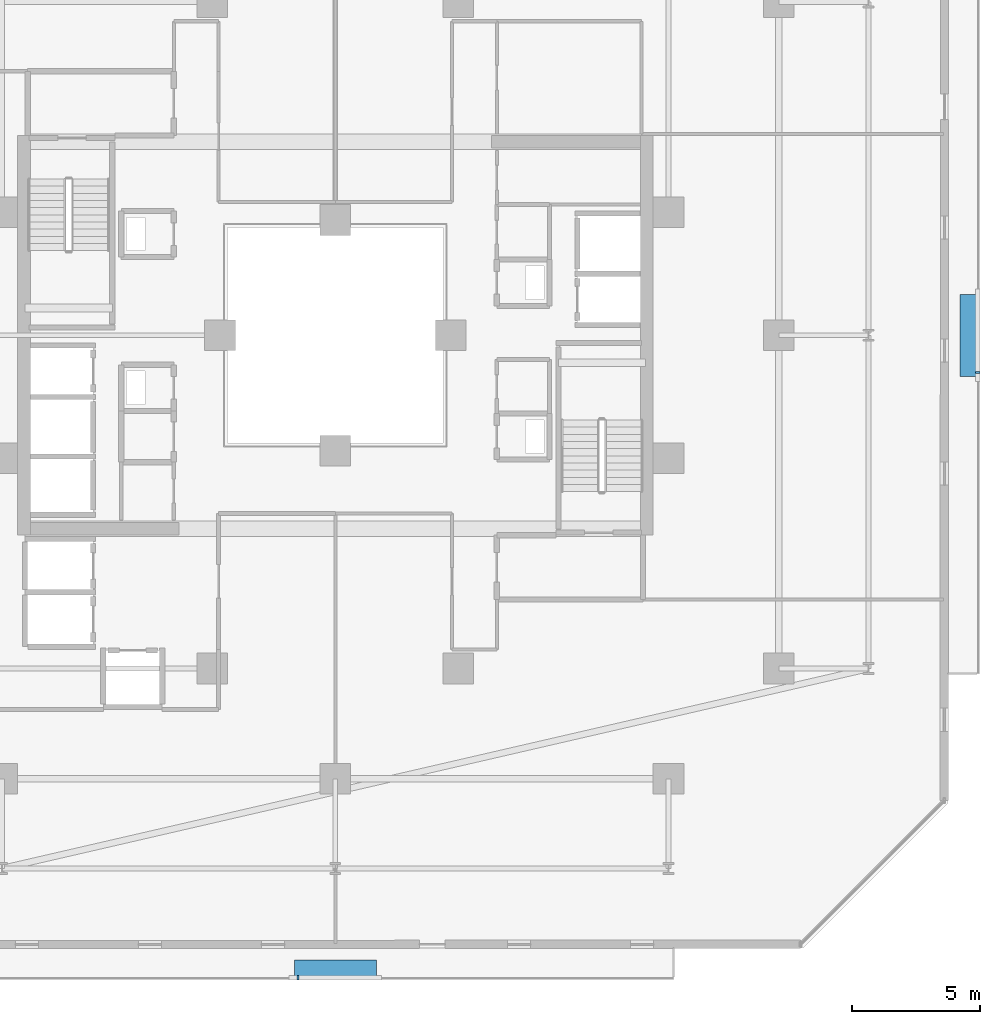
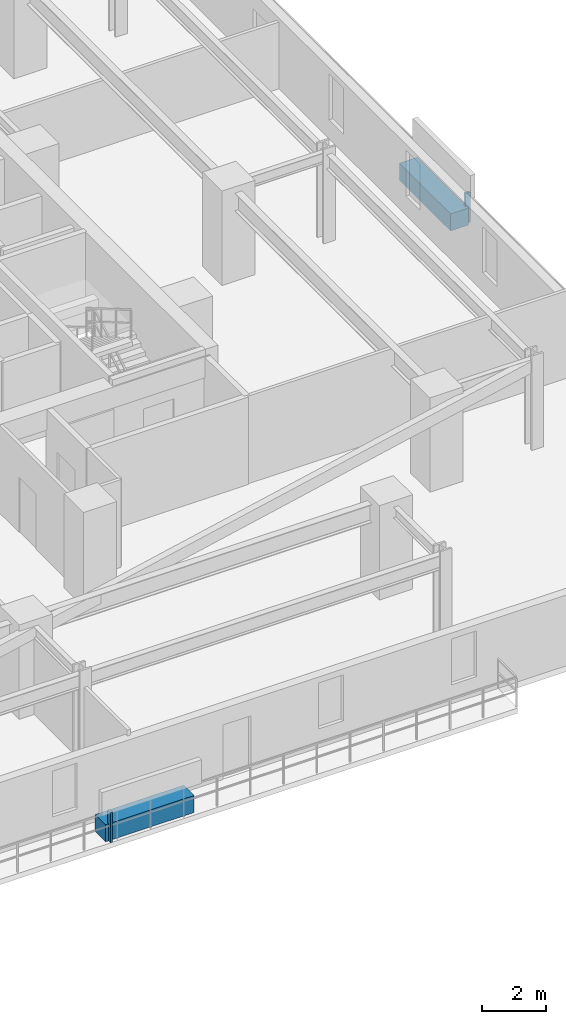
# One storey, part 26 of 31: 4 discrete accessories.
"""IFC4 building model written with IfcOpenShell, lengths in metres."""

from ifc_helpers import new_model, si_unit, direction, frame, origin, origin_2d, place, context, subcontext, project, spatial, rectangle, extrude, material, type_object, element, save


model = new_model("IFC4")

# Units and contexts
model_context = context("Model", 3, precision=1e-05, world=origin(), true_north=direction((0.0, 1.0)))
body_context = subcontext(model_context, "Body", "Model", "MODEL_VIEW")
ifc_project = project(units=[si_unit("LENGTHUNIT", "METRE"), si_unit("AREAUNIT", "SQUARE_METRE"), si_unit("VOLUMEUNIT", "CUBIC_METRE"), si_unit("PLANEANGLEUNIT", "RADIAN"), si_unit("MASSUNIT", "GRAM", prefix="KILO")], contexts=[model_context])

# Site, building, storey
site_placement = place(None, origin())
site = spatial("IfcSite", under=ifc_project, at=site_placement, CompositionType="ELEMENT")
building_placement = place(site_placement, origin())
building = spatial("IfcBuilding", under=site, at=building_placement, Name="Thornwick Lancets Civic Towers", CompositionType="ELEMENT")
storey_placement = place(building_placement, frame((0.0, 0.0, 126.89990234375)))
storey = spatial("IfcBuildingStorey", under=building, at=storey_placement, Name="L33", CompositionType="ELEMENT", Elevation=126.89990234375)

# Discrete accessories
ifc_material_1 = material(Name="Planted terracotta greenery planter", Category="masonry")
discrete_accessory_type_1 = type_object("IfcDiscreteAccessoryType", Name="ACC_PLANTER_BOX", PredefinedType="USERDEFINED", material=ifc_material_1)
discrete_accessory_1_placement = place(storey_placement, frame((88.5, 2.300048828125, 0.000244140625), z_axis=(0.0, 0.0, 1.0), x_axis=(1.0, 0.0, 0.0)))
element("IfcDiscreteAccessory", 1, at=discrete_accessory_1_placement, inside=storey, type_object=discrete_accessory_type_1, Name="L33 Tower B Balcony Greenery Planter S", ObjectType="PLANTER", PredefinedType="USERDEFINED", context=body_context, shape_type="SweptSolid", body=[
    extrude(rectangle(XDim=3.199951171875, YDim=0.64990234375, at=origin_2d()), origin(), (0.0, 0.0, 1.0), 0.64990234375),
])
discrete_accessory_2_placement = place(storey_placement, frame((113.199951171875, 27.0, 0.000244140625), z_axis=(0.0, 0.0, 1.0), x_axis=(1.0, 0.0, 0.0)))
element("IfcDiscreteAccessory", 2, at=discrete_accessory_2_placement, inside=storey, type_object=discrete_accessory_type_1, Name="L33 Tower B Balcony Greenery Planter E", ObjectType="PLANTER", PredefinedType="USERDEFINED", context=body_context, shape_type="SweptSolid", body=[
    extrude(rectangle(XDim=0.64990234375, YDim=3.199951171875, at=origin_2d()), origin(), (0.0, 0.0, 1.0), 0.64990234375),
])
ifc_material_2 = material(Name="Stainless steel S355", Category="steel")
discrete_accessory_type_2 = type_object("IfcDiscreteAccessoryType", Name="ACC_SCREEN_BRACKET", PredefinedType="BRACKET", material=ifc_material_2)
for number, where, z_axis, x_axis, name in (
    (3, (87.050048828125, 1.93994140625, 0.000244140625), (0.0, 0.0, 1.0), (1.0, 0.0, 0.0), "L33 Tower B Balcony Screen Stanchion Bracket S-1"),
    (4, (113.56005859375, 25.550048828125, 0.000244140625), (0.0, 0.0, 1.0), (0.0, 1.0, 0.0), "L33 Tower B Balcony Screen Stanchion Bracket E-1"),
):
    element("IfcDiscreteAccessory", number, at=place(storey_placement, frame(where, z_axis=z_axis, x_axis=x_axis)), inside=storey, type_object=discrete_accessory_type_2, Name=name, PredefinedType="BRACKET", context=body_context, shape_type="SweptSolid", body=[
        extrude(rectangle(XDim=0.080078125, YDim=0.179931640625, at=origin_2d()), origin(), (0.0, 0.0, 1.0), 1.14990234375),
    ])

save(model, "model.ifc")
